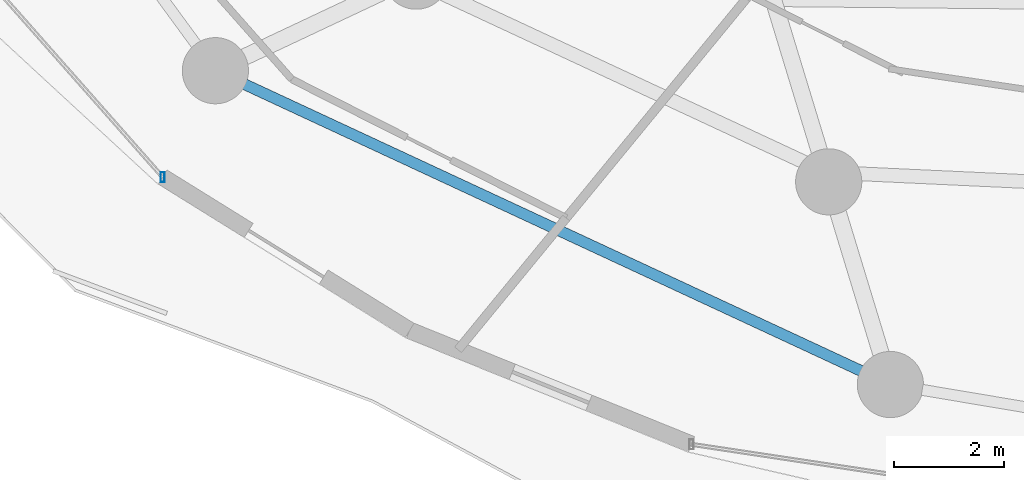
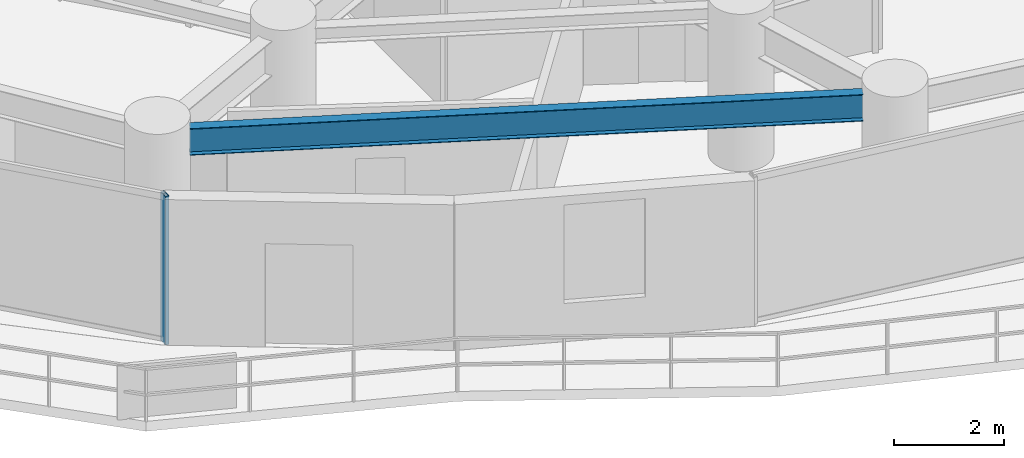
# One storey, part 2 of 33: 1 beam, 1 member, 1 element without a shape of its own.
"""IFC4 building model written with IfcOpenShell, lengths in metres."""

from ifc_helpers import new_model, si_unit, direction, frame, origin, origin_2d, place, context, subcontext, project, spatial, hollow_rectangle, i_section, extrude, material, material_profile, profile_set, type_object, element, aggregate, save


model = new_model("IFC4")

# Units and contexts
model_context = context("Model", 3, precision=1e-05, world=origin(), true_north=direction((0.0, 1.0)))
body_context = subcontext(model_context, "Body", "Model", "MODEL_VIEW")
ifc_project = project(units=[si_unit("LENGTHUNIT", "METRE"), si_unit("AREAUNIT", "SQUARE_METRE"), si_unit("VOLUMEUNIT", "CUBIC_METRE"), si_unit("PLANEANGLEUNIT", "RADIAN"), si_unit("MASSUNIT", "GRAM", prefix="KILO")], contexts=[model_context])

# Site, building, storey
site_placement = place(None, origin())
site = spatial("IfcSite", under=ifc_project, at=site_placement, CompositionType="ELEMENT")
building_placement = place(site_placement, origin())
building = spatial("IfcBuilding", under=site, at=building_placement, Name="Vorneva Point Tower", CompositionType="ELEMENT")
storey_placement = place(building_placement, frame((0.0, 0.0, 59.0)))
storey = spatial("IfcBuildingStorey", under=building, at=storey_placement, Name="L15", CompositionType="ELEMENT", Elevation=59.0)

# Beam
ifc_material_1 = material(Name="Steel S355", Category="steel")
ifc_material_profile_1 = material_profile(ifc_material_1, i_section(OverallWidth=0.198974609375, OverallDepth=0.595947265625, WebThickness=0.010009765625, FlangeThickness=0.014892578125, at=origin_2d()), Name="60B1")
ifc_profile_set_1 = profile_set([ifc_material_profile_1], Name="Steel S355")
beam_type = type_object("IfcBeamType", Name="BM-SPN-60B1", PredefinedType="SPANDREL", material=ifc_profile_set_1)
beam_placement = place(storey_placement, frame((18.591796875, 11.877685546875, 2.94189453125), z_axis=(0.906772901024, -0.421619385191, 0.0), x_axis=(0.421619385191, 0.906772901024, 0.0)))
element("IfcBeam", 1, at=beam_placement, inside=storey, type_object=beam_type, Name="L15 Perimeter Spandrel Ring Beam 11", PredefinedType="SPANDREL", context=body_context, shape_type="SweptSolid", body=[
    extrude(i_section(OverallWidth=0.198974609375, OverallDepth=0.595947265625, WebThickness=0.010009765625, FlangeThickness=0.014892578125, at=origin_2d()), origin(), (0.0, 0.0, 1.0), 12.323486328125),
])

# Curtain wall, member
ifc_material_2 = material(Name="Pale anodised aluminium", Category="aluminium")
curtain_wall_type = type_object("IfcCurtainWallType", Name="CW-HTL-SYS", PredefinedType="NOTDEFINED", material=ifc_material_2)
curtain_wall_placement = place(storey_placement, origin())
curtain_wall = element("IfcCurtainWall", 2, at=curtain_wall_placement, inside=storey, type_object=curtain_wall_type, Name="L15 Unitised Curtain Wall CW-L15-R03", PredefinedType="NOTDEFINED")
ifc_material_profile_2 = material_profile(ifc_material_2, hollow_rectangle(XDim=0.074951171875, YDim=0.179931640625, WallThickness=0.00390625, at=origin_2d()), Name="AL-MUL 180x75x4")
ifc_profile_set_2 = profile_set([ifc_material_profile_2], Name="Pale anodised aluminium")
member_type = type_object("IfcMemberType", Name="CW-MUL-180", PredefinedType="MULLION", material=ifc_profile_set_2)
member_placement = place(storey_placement, frame((17.10498046875, 10.1962890625, -0.0400390625), z_axis=(0.0, 0.0, 1.0), x_axis=(1.0, 0.0, 0.0)))
member = element("IfcMember", 3, at=member_placement, type_object=member_type, Name="CW-L15-R03 Mullion 05", PredefinedType="MULLION", context=body_context, shape_type="SweptSolid", body=[
    extrude(hollow_rectangle(XDim=0.074951171875, YDim=0.179931640625, WallThickness=0.00390625, at=origin_2d()), origin(), (0.0, 0.0, 1.0), 3.31005859375),
])
aggregate(curtain_wall, [member])

save(model, "model.ifc")
